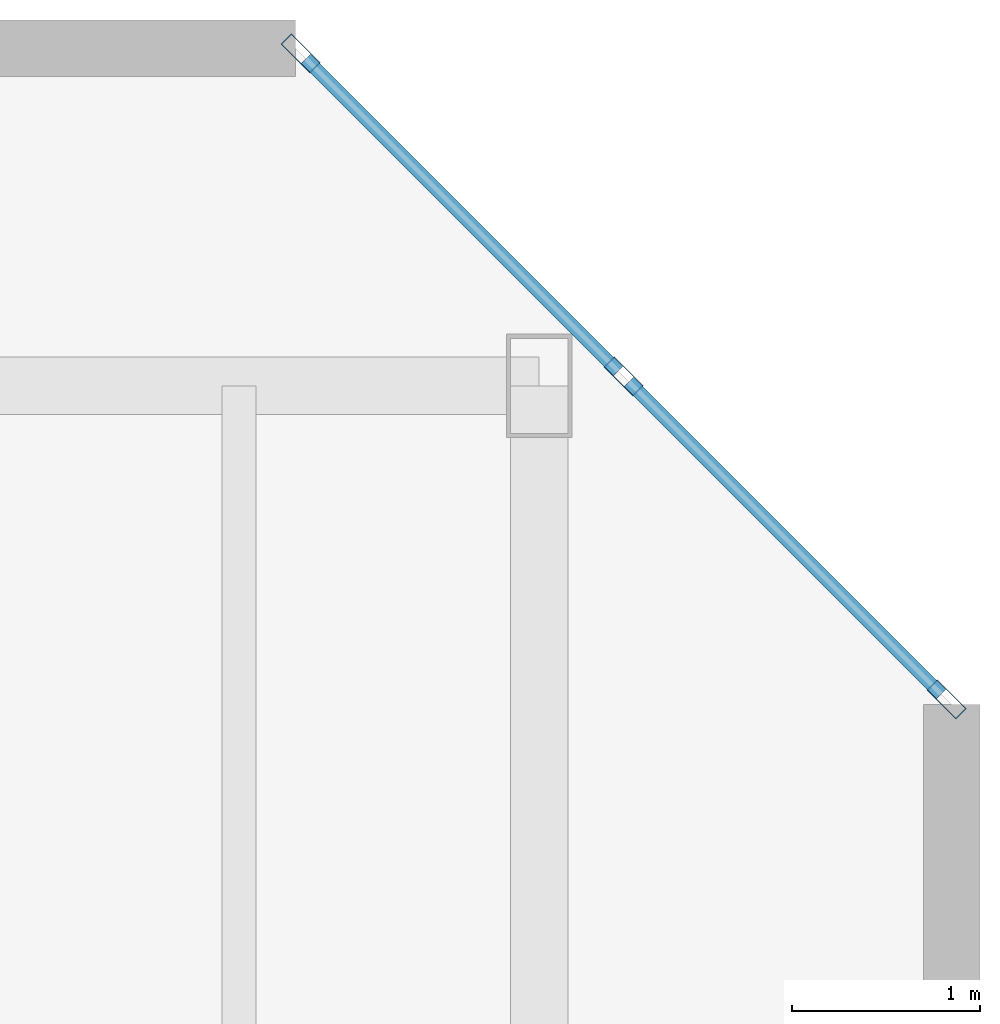
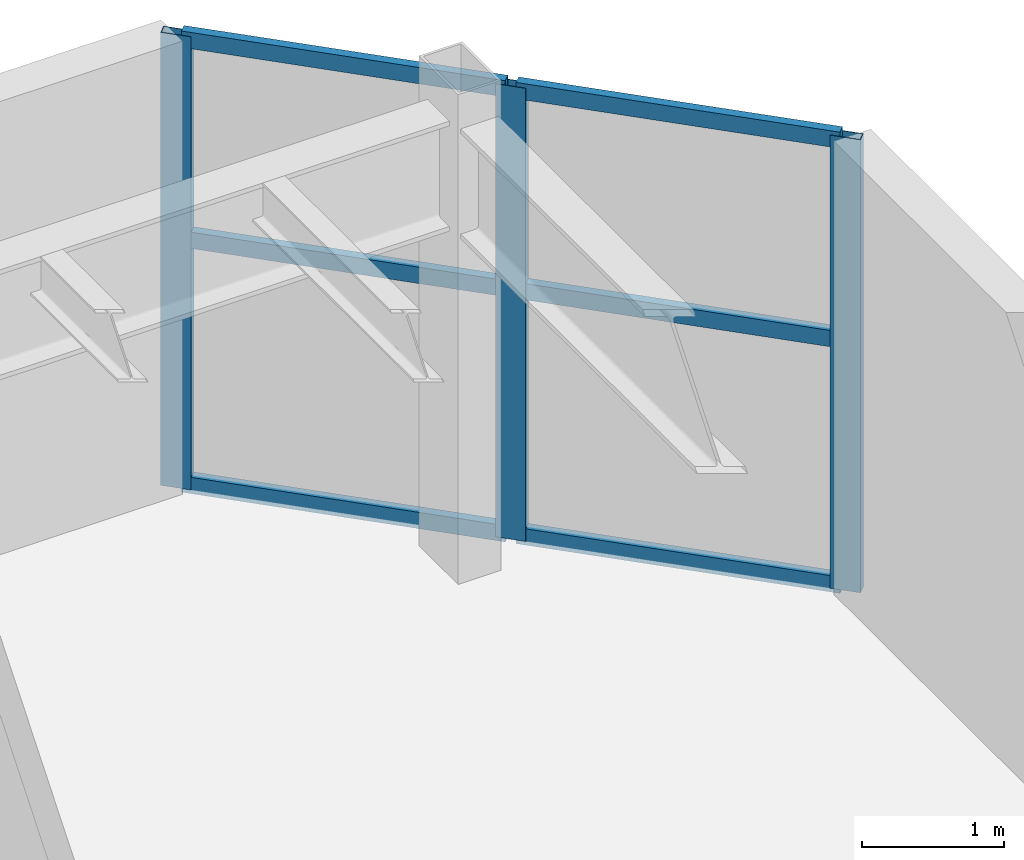
# One storey, part 9 of 20: 9 members, 1 element without a shape of its own.
"""IFC4 building model written with IfcOpenShell, lengths in metres."""

from ifc_helpers import new_model, si_unit, direction, frame, origin, origin_2d, place, context, subcontext, project, spatial, hollow_rectangle, extrude, material, layer, layer_set, material_profile, profile_set, type_object, element, aggregate, save


model = new_model("IFC4")

# Units and contexts
model_context = context("Model", 3, precision=1e-05, world=origin(), true_north=direction((0.0, 1.0)))
body_context = subcontext(model_context, "Body", "Model", "MODEL_VIEW")
ifc_project = project(units=[si_unit("LENGTHUNIT", "METRE"), si_unit("AREAUNIT", "SQUARE_METRE"), si_unit("VOLUMEUNIT", "CUBIC_METRE"), si_unit("PLANEANGLEUNIT", "RADIAN"), si_unit("MASSUNIT", "GRAM", prefix="KILO")], contexts=[model_context])

# Site, building, storey
site_placement = place(None, origin())
site = spatial("IfcSite", under=ifc_project, at=site_placement, CompositionType="ELEMENT")
building_placement = place(site_placement, origin())
building = spatial("IfcBuilding", under=site, at=building_placement, Name="Cununo Teusaquillo Station Towers", CompositionType="ELEMENT")
storey_placement = place(building_placement, frame((0.0, 0.0, 4.800048828125)))
storey = spatial("IfcBuildingStorey", under=building, at=storey_placement, Name="L01", CompositionType="ELEMENT", Elevation=4.800048828125)

# Curtain wall, members
ifc_material_1 = material(Name="Ceramic-fritted dark low-E double glazing", Category="glass")
ifc_layer = layer(ifc_material_1, 0.179931640625)
ifc_layer_set = layer_set([ifc_layer], Name="Ceramic-fritted dark low-E double glazing")
curtain_wall_type = type_object("IfcCurtainWallType", Name="CW-SYS-01", PredefinedType="USERDEFINED", material=ifc_layer_set)
curtain_wall_placement = place(storey_placement, origin())
curtain_wall = element("IfcCurtainWall", 1, at=curtain_wall_placement, inside=storey, type_object=curtain_wall_type, Name="L01 Station Podium Corner Curtain Wall 4", ObjectType="FRITTED GLAZING", PredefinedType="USERDEFINED")
ifc_material_2 = material(Name="Anodised dark bronze aluminium EN AW-6063-T6", Category="aluminium")
ifc_material_profile_1 = material_profile(ifc_material_2, hollow_rectangle(XDim=0.080078125, YDim=0.219970703125, WallThickness=0.0048828125, at=origin_2d()), Name="CW-MULL-80x220")
ifc_profile_set_1 = profile_set([ifc_material_profile_1], Name="Anodised dark bronze aluminium EN AW-6063-T6")
member_type_1 = type_object("IfcMemberType", Name="CWM-220", PredefinedType="MULLION", material=ifc_profile_set_1)
member_1_placement = place(storey_placement, frame((78.328369140625, 47.9716796875, 0.0), z_axis=(0.0, 0.0, 1.0), x_axis=(0.707106781187, 0.707106781187, 0.0)))
member_1 = element("IfcMember", 2, at=member_1_placement, type_object=member_type_1, Name="CW-01 mullion 1", PredefinedType="MULLION", context=body_context, shape_type="SweptSolid", body=[
    extrude(hollow_rectangle(XDim=0.080078125, YDim=0.219970703125, WallThickness=0.0048828125, at=origin_2d()), origin(), (0.0, 0.0, 1.0), 3.885009765625),
])
member_2_placement = place(storey_placement, frame((80.050048828125, 46.25, 0.0), z_axis=(0.0, 0.0, 1.0), x_axis=(0.707106781187, 0.707106781187, 0.0)))
member_2 = element("IfcMember", 3, at=member_2_placement, type_object=member_type_1, Name="CW-01 mullion 2", PredefinedType="MULLION", context=body_context, shape_type="SweptSolid", body=[
    extrude(hollow_rectangle(XDim=0.080078125, YDim=0.219970703125, WallThickness=0.0048828125, at=origin_2d()), origin(), (0.0, 0.0, 1.0), 3.885009765625),
])
member_3_placement = place(storey_placement, frame((81.771728515625, 44.5283203125, 0.0), z_axis=(0.0, 0.0, 1.0), x_axis=(0.707106781187, 0.707106781187, 0.0)))
member_3 = element("IfcMember", 4, at=member_3_placement, type_object=member_type_1, Name="CW-01 mullion 3", PredefinedType="MULLION", context=body_context, shape_type="SweptSolid", body=[
    extrude(hollow_rectangle(XDim=0.080078125, YDim=0.219970703125, WallThickness=0.0048828125, at=origin_2d()), origin(), (0.0, 0.0, 1.0), 3.885009765625),
])
ifc_material_3 = material(Name="Anodised dark bronze aluminium EN AW-6063-T6", Category="aluminium")
ifc_material_profile_2 = material_profile(ifc_material_3, hollow_rectangle(XDim=0.070068359375, YDim=0.139892578125, WallThickness=0.00390625, at=origin_2d()), Name="CW-TRAN-70x140")
ifc_profile_set_2 = profile_set([ifc_material_profile_2], Name="Anodised dark bronze aluminium EN AW-6063-T6")
member_type_2 = type_object("IfcMemberType", Name="CWT-140", PredefinedType="USERDEFINED", material=ifc_profile_set_2)
member_4_placement = place(storey_placement, frame((78.356689453125, 47.943359375, 0.034912109375), z_axis=(0.707106781187, -0.707106781187, 0.0), x_axis=(0.707106781187, 0.707106781187, 0.0)))
member_4 = element("IfcMember", 5, at=member_4_placement, type_object=member_type_2, Name="CW-01 transom 1.1", ObjectType="TRANSOM", PredefinedType="USERDEFINED", context=body_context, shape_type="SweptSolid", body=[
    extrude(hollow_rectangle(XDim=0.070068359375, YDim=0.139892578125, WallThickness=0.00390625, at=origin_2d()), origin(), (0.0, 0.0, 1.0), 2.354736328125),
])
member_5_placement = place(storey_placement, frame((78.356689453125, 47.943359375, 2.136962890625), z_axis=(0.707106781187, -0.707106781187, 0.0), x_axis=(0.707106781187, 0.707106781187, 0.0)))
member_5 = element("IfcMember", 6, at=member_5_placement, type_object=member_type_2, Name="CW-01 transom 1.2", ObjectType="TRANSOM", PredefinedType="USERDEFINED", context=body_context, shape_type="SweptSolid", body=[
    extrude(hollow_rectangle(XDim=0.070068359375, YDim=0.139892578125, WallThickness=0.00390625, at=origin_2d()), origin(), (0.0, 0.0, 1.0), 2.354736328125),
])
member_6_placement = place(storey_placement, frame((78.356689453125, 47.943359375, 3.849853515625), z_axis=(0.707106781187, -0.707106781187, 0.0), x_axis=(0.707106781187, 0.707106781187, 0.0)))
member_6 = element("IfcMember", 7, at=member_6_placement, type_object=member_type_2, Name="CW-01 transom 1.3", ObjectType="TRANSOM", PredefinedType="USERDEFINED", context=body_context, shape_type="SweptSolid", body=[
    extrude(hollow_rectangle(XDim=0.070068359375, YDim=0.139892578125, WallThickness=0.00390625, at=origin_2d()), origin(), (0.0, 0.0, 1.0), 2.354736328125),
])
member_7_placement = place(storey_placement, frame((80.078369140625, 46.2216796875, 0.034912109375), z_axis=(0.707106781187, -0.707106781187, 0.0), x_axis=(0.707106781187, 0.707106781187, 0.0)))
member_7 = element("IfcMember", 8, at=member_7_placement, type_object=member_type_2, Name="CW-01 transom 2.1", ObjectType="TRANSOM", PredefinedType="USERDEFINED", context=body_context, shape_type="SweptSolid", body=[
    extrude(hollow_rectangle(XDim=0.070068359375, YDim=0.139892578125, WallThickness=0.00390625, at=origin_2d()), origin(), (0.0, 0.0, 1.0), 2.354736328125),
])
member_8_placement = place(storey_placement, frame((80.078369140625, 46.2216796875, 2.136962890625), z_axis=(0.707106781187, -0.707106781187, 0.0), x_axis=(0.707106781187, 0.707106781187, 0.0)))
member_8 = element("IfcMember", 9, at=member_8_placement, type_object=member_type_2, Name="CW-01 transom 2.2", ObjectType="TRANSOM", PredefinedType="USERDEFINED", context=body_context, shape_type="SweptSolid", body=[
    extrude(hollow_rectangle(XDim=0.070068359375, YDim=0.139892578125, WallThickness=0.00390625, at=origin_2d()), origin(), (0.0, 0.0, 1.0), 2.354736328125),
])
member_9_placement = place(storey_placement, frame((80.078369140625, 46.2216796875, 3.849853515625), z_axis=(0.707106781187, -0.707106781187, 0.0), x_axis=(0.707106781187, 0.707106781187, 0.0)))
member_9 = element("IfcMember", 10, at=member_9_placement, type_object=member_type_2, Name="CW-01 transom 2.3", ObjectType="TRANSOM", PredefinedType="USERDEFINED", context=body_context, shape_type="SweptSolid", body=[
    extrude(hollow_rectangle(XDim=0.070068359375, YDim=0.139892578125, WallThickness=0.00390625, at=origin_2d()), origin(), (0.0, 0.0, 1.0), 2.354736328125),
])
aggregate(curtain_wall, [member_1, member_2, member_3, member_4, member_5, member_6, member_7, member_8, member_9])

save(model, "model.ifc")
